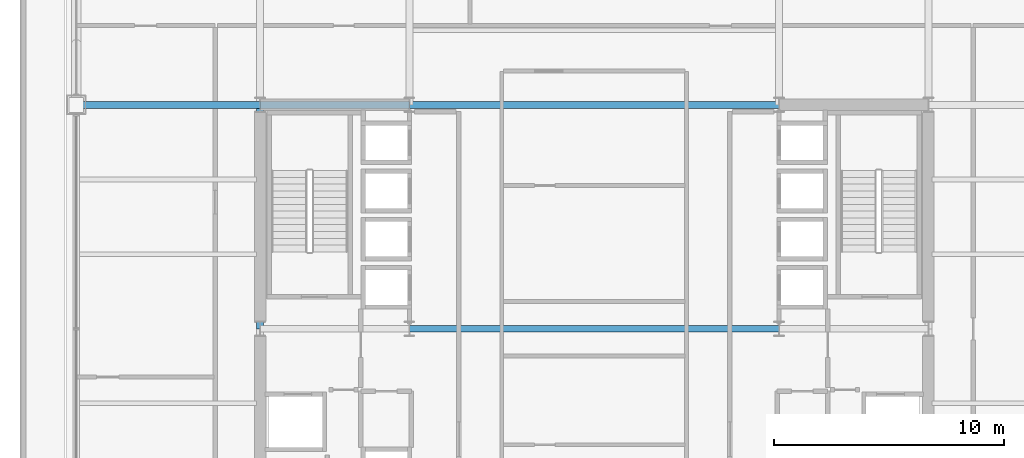
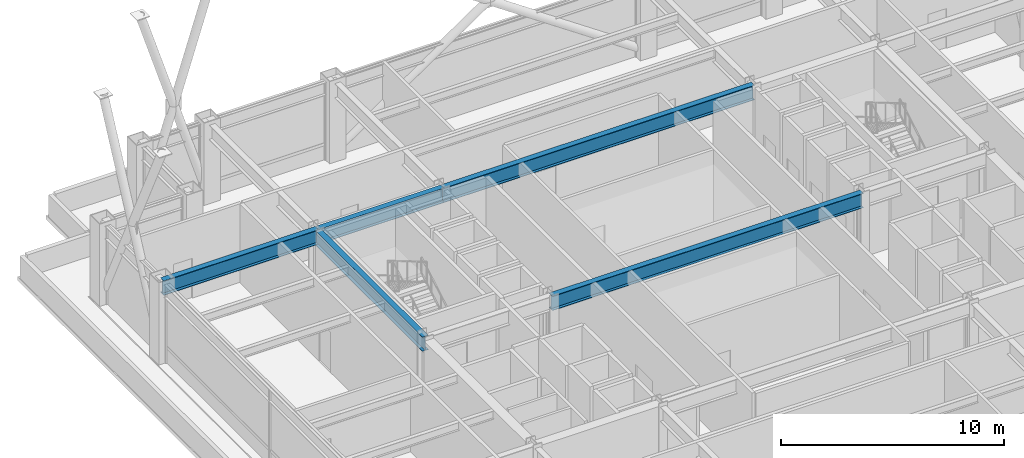
# One storey, part 10 of 32: 5 beams.
"""IFC4 building model written with IfcOpenShell, lengths in metres."""

from ifc_helpers import new_model, si_unit, direction, frame, origin, origin_2d, place, context, subcontext, project, spatial, i_section, extrude, material, material_profile, profile_set, type_object, element, save


model = new_model("IFC4")

# Units and contexts
model_context = context("Model", 3, precision=1e-05, world=origin(), true_north=direction((0.0, 1.0)))
body_context = subcontext(model_context, "Body", "Model", "MODEL_VIEW")
ifc_project = project(units=[si_unit("LENGTHUNIT", "METRE"), si_unit("AREAUNIT", "SQUARE_METRE"), si_unit("VOLUMEUNIT", "CUBIC_METRE"), si_unit("PLANEANGLEUNIT", "RADIAN"), si_unit("MASSUNIT", "GRAM", prefix="KILO")], contexts=[model_context])

# Site, building, storey
site_placement = place(None, origin())
site = spatial("IfcSite", under=ifc_project, at=site_placement, CompositionType="ELEMENT")
building_placement = place(site_placement, origin())
building = spatial("IfcBuilding", under=site, at=building_placement, Name="Brelmoor Portico Tower", CompositionType="ELEMENT")
storey_placement = place(building_placement, frame((0.0, 0.0, 87.300048828125)))
storey = spatial("IfcBuildingStorey", under=building, at=storey_placement, Name="L22", CompositionType="ELEMENT", Elevation=87.300048828125)

# Beams
ifc_material = material(Name="Steel Q355B", Category="steel")
ifc_material_profile = material_profile(ifc_material, i_section(OverallWidth=0.300048828125, OverallDepth=0.800048828125, WebThickness=0.013916015625, FlangeThickness=0.02587890625, at=origin_2d()), Name="HN 800x300x14x26")
ifc_profile_set = profile_set([ifc_material_profile], Name="Steel Q355B")
beam_type = type_object("IfcBeamType", Name="BM-PG-800", PredefinedType="BEAM", material=ifc_profile_set)
beam_1_placement = place(storey_placement, frame((-14.550048828125, 0.0, 3.89990234375), z_axis=(0.0, 1.0, 0.0), x_axis=(-1.0, 0.0, 0.0)))
element("IfcBeam", 1, at=beam_1_placement, inside=storey, type_object=beam_type, Name="L22 Primary Floor Girder PG-03", PredefinedType="BEAM", context=body_context, shape_type="SweptSolid", body=[
    extrude(i_section(OverallWidth=0.300048828125, OverallDepth=0.800048828125, WebThickness=0.013916015625, FlangeThickness=0.02587890625, at=origin_2d()), origin(), (0.0, 0.0, 1.0), 9.75),
])
beam_2_placement = place(storey_placement, frame((-8.050048828125, 0.0, 3.89990234375), z_axis=(1.0, 0.0, 0.0), x_axis=(0.0, 1.0, 0.0)))
element("IfcBeam", 2, at=beam_2_placement, inside=storey, type_object=beam_type, Name="L22 Primary Floor Girder PG-19", PredefinedType="BEAM", context=body_context, shape_type="SweptSolid", body=[
    extrude(i_section(OverallWidth=0.300048828125, OverallDepth=0.800048828125, WebThickness=0.013916015625, FlangeThickness=0.02587890625, at=origin_2d()), origin(), (0.0, 0.0, 1.0), 16.10009765625),
])
beam_3_placement = place(storey_placement, frame((-22.550048828125, 9.75, 3.89990234375), z_axis=(1.0, 0.0, 0.0), x_axis=(0.0, 1.0, 0.0)))
element("IfcBeam", 3, at=beam_3_placement, inside=storey, type_object=beam_type, Name="L22 Primary Floor Girder PG-21", PredefinedType="BEAM", context=body_context, shape_type="SweptSolid", body=[
    extrude(i_section(OverallWidth=0.300048828125, OverallDepth=0.800048828125, WebThickness=0.013916015625, FlangeThickness=0.02587890625, at=origin_2d()), origin(), (0.0, 0.0, 1.0), 8.0),
])
beam_4_placement = place(storey_placement, frame((-14.550048828125, 9.75, 3.89990234375), z_axis=(1.0, 0.0, 0.0), x_axis=(0.0, 1.0, 0.0)))
element("IfcBeam", 4, at=beam_4_placement, inside=storey, type_object=beam_type, Name="L22 Primary Floor Girder PG-22", PredefinedType="BEAM", context=body_context, shape_type="SweptSolid", body=[
    extrude(i_section(OverallWidth=0.300048828125, OverallDepth=0.800048828125, WebThickness=0.013916015625, FlangeThickness=0.02587890625, at=origin_2d()), origin(), (0.0, 0.0, 1.0), 6.5),
])
beam_5_placement = place(storey_placement, frame((-8.050048828125, 9.75, 3.89990234375), z_axis=(1.0, 0.0, 0.0), x_axis=(0.0, 1.0, 0.0)))
element("IfcBeam", 5, at=beam_5_placement, inside=storey, type_object=beam_type, Name="L22 Primary Floor Girder PG-23", PredefinedType="BEAM", context=body_context, shape_type="SweptSolid", body=[
    extrude(i_section(OverallWidth=0.300048828125, OverallDepth=0.800048828125, WebThickness=0.013916015625, FlangeThickness=0.02587890625, at=origin_2d()), origin(), (0.0, 0.0, 1.0), 16.10009765625),
])

save(model, "model.ifc")
